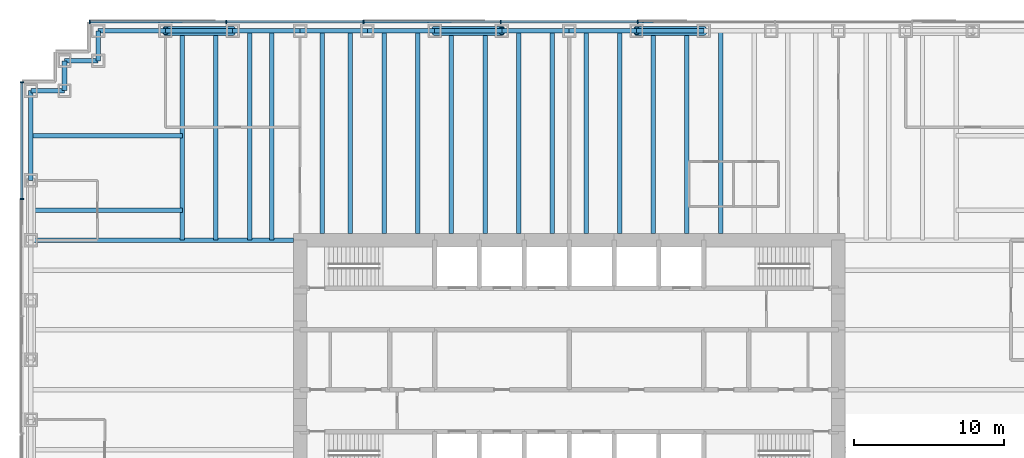
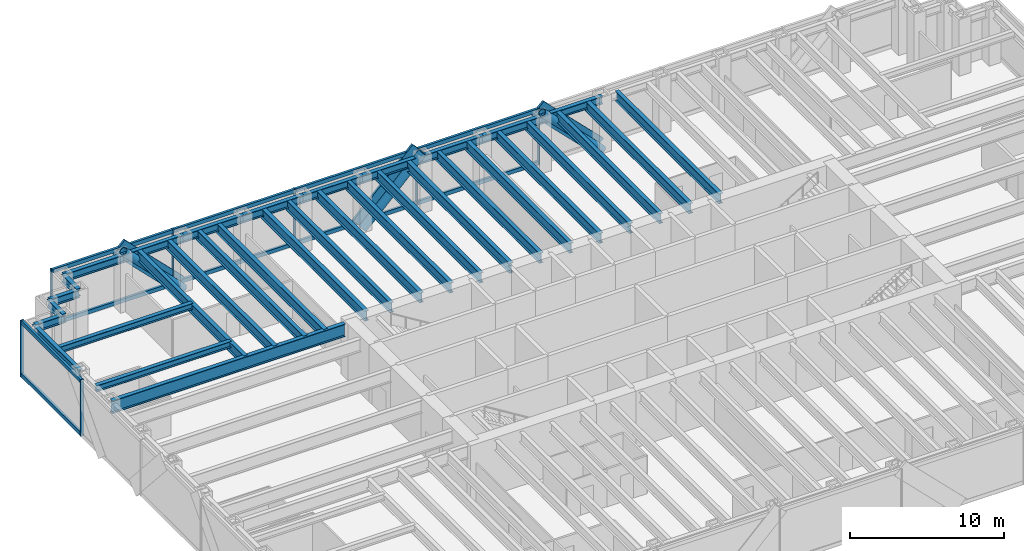
# One storey, part 5 of 13: 34 beams, 23 members, 2 elements without a shape of their own.
"""IFC4 building model written with IfcOpenShell, lengths in metres."""

from ifc_helpers import new_model, si_unit, direction, frame, origin, origin_2d, place, context, subcontext, project, spatial, rectangle, hollow_circle, i_section, extrude, material, material_profile, profile_set, type_object, element, aggregate, save


model = new_model("IFC4")

# Units and contexts
model_context = context("Model", 3, precision=1e-05, world=origin(), true_north=direction((0.0, 1.0)))
body_context = subcontext(model_context, "Body", "Model", "MODEL_VIEW")
ifc_project = project(units=[si_unit("LENGTHUNIT", "METRE"), si_unit("AREAUNIT", "SQUARE_METRE"), si_unit("VOLUMEUNIT", "CUBIC_METRE"), si_unit("PLANEANGLEUNIT", "RADIAN"), si_unit("MASSUNIT", "GRAM", prefix="KILO")], contexts=[model_context])

# Site, building, storey
site_placement = place(None, origin())
site = spatial("IfcSite", under=ifc_project, at=site_placement, CompositionType="ELEMENT")
building_placement = place(site_placement, origin())
building = spatial("IfcBuilding", under=site, at=building_placement, Name="Rheinbord Bourse Tower", CompositionType="ELEMENT")
storey_placement = place(building_placement, frame((0.0, 0.0, 54.5)))
storey = spatial("IfcBuildingStorey", under=building, at=storey_placement, Name="L11", CompositionType="ELEMENT", Elevation=54.5)

# Curtain wall, members
ifc_material_1 = material(Name="Dark glass and black aluminium", Category="aluminium")
curtain_wall_type = type_object("IfcCurtainWallType", Name="CW1 DARK GLASS CURTAIN WALL", PredefinedType="USERDEFINED", material=ifc_material_1)
curtain_wall_1_placement = place(storey_placement, origin())
curtain_wall_1 = element("IfcCurtainWall", 1, at=curtain_wall_1_placement, inside=storey, type_object=curtain_wall_type, Name="Curtain wall CW1 N L11", ObjectType="UNITISED CURTAIN WALL", PredefinedType="USERDEFINED")
ifc_material_2 = material(Name="Black anodised aluminium", Category="aluminium")
ifc_material_profile_1 = material_profile(ifc_material_2, rectangle(XDim=0.179931640625, YDim=1.2099609375, at=origin_2d()), Name="CW1 DIAGONAL MULLION 1210x180")
ifc_profile_set_1 = profile_set([ifc_material_profile_1], Name="Black anodised aluminium")
member_type_1 = type_object("IfcMemberType", Name="CW1 BLACK DIAGONAL MULLION", PredefinedType="USERDEFINED", material=ifc_profile_set_1)
member_1_placement = place(storey_placement, frame((13.5, 46.60009765625, 0.0), z_axis=(-0.707106781187, 0.0, 0.707106781187), x_axis=(0.0, -1.0, 0.0)))
member_1 = element("IfcMember", 2, at=member_1_placement, type_object=member_type_1, Name="CW1 diagonal mullion b", ObjectType="DIAGONAL MULLION", PredefinedType="USERDEFINED", context=body_context, shape_type="SweptSolid", body=[
    extrude(rectangle(XDim=0.179931640625, YDim=1.2099609375, at=origin_2d()), origin(), (0.0, 0.0, 1.0), 6.364013671875),
])
member_2_placement = place(storey_placement, frame((45.0, 46.60009765625, 0.0), z_axis=(-0.707106781187, 0.0, 0.707106781187), x_axis=(0.0, -1.0, 0.0)))
member_2 = element("IfcMember", 3, at=member_2_placement, type_object=member_type_1, Name="CW1 diagonal mullion c", ObjectType="DIAGONAL MULLION", PredefinedType="USERDEFINED", context=body_context, shape_type="SweptSolid", body=[
    extrude(rectangle(XDim=0.179931640625, YDim=1.2099609375, at=origin_2d()), origin(), (0.0, 0.0, 1.0), 6.364013671875),
])
member_3_placement = place(storey_placement, frame((27.0, 46.60009765625, 0.0), z_axis=(0.707106781187, 0.0, 0.707106781187), x_axis=(0.0, 1.0, 0.0)))
member_3 = element("IfcMember", 4, at=member_3_placement, type_object=member_type_1, Name="CW1 diagonal mullion d", ObjectType="DIAGONAL MULLION", PredefinedType="USERDEFINED", context=body_context, shape_type="SweptSolid", body=[
    extrude(rectangle(XDim=0.179931640625, YDim=1.2099609375, at=origin_2d()), origin(), (0.0, 0.0, 1.0), 6.364013671875),
])
ifc_material_3 = material(Name="Black anodised aluminium", Category="aluminium")
ifc_material_profile_2 = material_profile(ifc_material_3, rectangle(XDim=0.25, YDim=0.080078125, at=origin_2d()), Name="CW1 MULLION 80x250")
ifc_profile_set_2 = profile_set([ifc_material_profile_2], Name="Black anodised aluminium")
member_type_2 = type_object("IfcMemberType", Name="CW1 BLACK MULLION", PredefinedType="MULLION", material=ifc_profile_set_2)
member_4_placement = place(storey_placement, frame((40.585693359375, 46.60009765625, 0.0), z_axis=(0.0, 0.0, 1.0), x_axis=(0.0, -1.0, 0.0)))
member_4 = element("IfcMember", 5, at=member_4_placement, type_object=member_type_2, Name="CW1 mullion 4", PredefinedType="MULLION", context=body_context, shape_type="SweptSolid", body=[
    extrude(rectangle(XDim=0.25, YDim=0.080078125, at=origin_2d()), origin(), (0.0, 0.0, 1.0), 4.5),
])
member_5_placement = place(storey_placement, frame((31.414306640625, 46.60009765625, 0.0), z_axis=(0.0, 0.0, 1.0), x_axis=(0.0, -1.0, 0.0)))
member_5 = element("IfcMember", 6, at=member_5_placement, type_object=member_type_2, Name="CW1 mullion 5", PredefinedType="MULLION", context=body_context, shape_type="SweptSolid", body=[
    extrude(rectangle(XDim=0.25, YDim=0.080078125, at=origin_2d()), origin(), (0.0, 0.0, 1.0), 4.5),
])
member_6_placement = place(storey_placement, frame((22.242919921875, 46.60009765625, 0.0), z_axis=(0.0, 0.0, 1.0), x_axis=(0.0, -1.0, 0.0)))
member_6 = element("IfcMember", 7, at=member_6_placement, type_object=member_type_2, Name="CW1 mullion 6", PredefinedType="MULLION", context=body_context, shape_type="SweptSolid", body=[
    extrude(rectangle(XDim=0.25, YDim=0.080078125, at=origin_2d()), origin(), (0.0, 0.0, 1.0), 4.5),
])
member_7_placement = place(storey_placement, frame((13.071533203125, 46.60009765625, 0.0), z_axis=(0.0, 0.0, 1.0), x_axis=(0.0, -1.0, 0.0)))
member_7 = element("IfcMember", 8, at=member_7_placement, type_object=member_type_2, Name="CW1 mullion 7", PredefinedType="MULLION", context=body_context, shape_type="SweptSolid", body=[
    extrude(rectangle(XDim=0.25, YDim=0.080078125, at=origin_2d()), origin(), (0.0, 0.0, 1.0), 4.5),
])
member_8_placement = place(storey_placement, frame((3.93994140625, 46.60009765625, 0.0), z_axis=(0.0, 0.0, 1.0), x_axis=(0.0, -1.0, 0.0)))
member_8 = element("IfcMember", 9, at=member_8_placement, type_object=member_type_2, Name="CW1 mullion 8", PredefinedType="MULLION", context=body_context, shape_type="SweptSolid", body=[
    extrude(rectangle(XDim=0.25, YDim=0.080078125, at=origin_2d()), origin(), (0.0, 0.0, 1.0), 4.5),
])

curtain_wall_2_placement = place(storey_placement, origin())
curtain_wall_2 = element("IfcCurtainWall", 10, at=curtain_wall_2_placement, inside=storey, type_object=curtain_wall_type, Name="Curtain wall CW1 W L11", ObjectType="UNITISED CURTAIN WALL", PredefinedType="USERDEFINED")
member_9_placement = place(storey_placement, frame((-0.60009765625, 42.56005859375, 0.0), z_axis=(0.0, 0.0, 1.0), x_axis=(1.0, 0.0, 0.0)))
member_9 = element("IfcMember", 11, at=member_9_placement, type_object=member_type_2, Name="CW1 mullion 1", PredefinedType="MULLION", context=body_context, shape_type="SweptSolid", body=[
    extrude(rectangle(XDim=0.25, YDim=0.080078125, at=origin_2d()), origin(), (0.0, 0.0, 1.0), 4.5),
])
member_10_placement = place(storey_placement, frame((-0.60009765625, 34.760009765625, 0.0), z_axis=(0.0, 0.0, 1.0), x_axis=(1.0, 0.0, 0.0)))
member_10 = element("IfcMember", 12, at=member_10_placement, type_object=member_type_2, Name="CW1 mullion 2", PredefinedType="MULLION", context=body_context, shape_type="SweptSolid", body=[
    extrude(rectangle(XDim=0.25, YDim=0.080078125, at=origin_2d()), origin(), (0.0, 0.0, 1.0), 4.5),
])

# Member
ifc_material_4 = material(Name="Black anodised aluminium", Category="aluminium")
ifc_material_profile_3 = material_profile(ifc_material_4, rectangle(XDim=0.179931640625, YDim=0.300048828125, at=origin_2d()), Name="CW1 TRANSOM 300x180")
ifc_profile_set_3 = profile_set([ifc_material_profile_3], Name="Black anodised aluminium")
member_type_3 = type_object("IfcMemberType", Name="CW1 BLACK TRANSOM", PredefinedType="USERDEFINED", material=ifc_profile_set_3)
member_11_placement = place(storey_placement, frame((40.545654296875, 46.60009765625, 0.14990234375), z_axis=(-1.0, 0.0, 0.0), x_axis=(0.0, -1.0, 0.0)))
member_11 = element("IfcMember", 13, at=member_11_placement, type_object=member_type_3, Name="CW1 transom 4.1", ObjectType="TRANSOM", PredefinedType="USERDEFINED", context=body_context, shape_type="SweptSolid", body=[
    extrude(rectangle(XDim=0.179931640625, YDim=0.300048828125, at=origin_2d()), origin(), (0.0, 0.0, 1.0), 9.09130859375),
])

member_12_placement = place(storey_placement, frame((40.545654296875, 46.60009765625, 4.35009765625), z_axis=(-1.0, 0.0, 0.0), x_axis=(0.0, -1.0, 0.0)))
member_12 = element("IfcMember", 14, at=member_12_placement, type_object=member_type_3, Name="CW1 transom 4.2", ObjectType="TRANSOM", PredefinedType="USERDEFINED", context=body_context, shape_type="SweptSolid", body=[
    extrude(rectangle(XDim=0.179931640625, YDim=0.300048828125, at=origin_2d()), origin(), (0.0, 0.0, 1.0), 9.09130859375),
])

member_13_placement = place(storey_placement, frame((31.374267578125, 46.60009765625, 0.14990234375), z_axis=(-1.0, 0.0, 0.0), x_axis=(0.0, -1.0, 0.0)))
member_13 = element("IfcMember", 15, at=member_13_placement, type_object=member_type_3, Name="CW1 transom 5.1", ObjectType="TRANSOM", PredefinedType="USERDEFINED", context=body_context, shape_type="SweptSolid", body=[
    extrude(rectangle(XDim=0.179931640625, YDim=0.300048828125, at=origin_2d()), origin(), (0.0, 0.0, 1.0), 9.09130859375),
])

member_14_placement = place(storey_placement, frame((31.374267578125, 46.60009765625, 4.35009765625), z_axis=(-1.0, 0.0, 0.0), x_axis=(0.0, -1.0, 0.0)))
member_14 = element("IfcMember", 16, at=member_14_placement, type_object=member_type_3, Name="CW1 transom 5.2", ObjectType="TRANSOM", PredefinedType="USERDEFINED", context=body_context, shape_type="SweptSolid", body=[
    extrude(rectangle(XDim=0.179931640625, YDim=0.300048828125, at=origin_2d()), origin(), (0.0, 0.0, 1.0), 9.09130859375),
])

member_15_placement = place(storey_placement, frame((22.202880859375, 46.60009765625, 0.14990234375), z_axis=(-1.0, 0.0, 0.0), x_axis=(0.0, -1.0, 0.0)))
member_15 = element("IfcMember", 17, at=member_15_placement, type_object=member_type_3, Name="CW1 transom 6.1", ObjectType="TRANSOM", PredefinedType="USERDEFINED", context=body_context, shape_type="SweptSolid", body=[
    extrude(rectangle(XDim=0.179931640625, YDim=0.300048828125, at=origin_2d()), origin(), (0.0, 0.0, 1.0), 9.091552734375),
])

member_16_placement = place(storey_placement, frame((22.202880859375, 46.60009765625, 4.35009765625), z_axis=(-1.0, 0.0, 0.0), x_axis=(0.0, -1.0, 0.0)))
member_16 = element("IfcMember", 18, at=member_16_placement, type_object=member_type_3, Name="CW1 transom 6.2", ObjectType="TRANSOM", PredefinedType="USERDEFINED", context=body_context, shape_type="SweptSolid", body=[
    extrude(rectangle(XDim=0.179931640625, YDim=0.300048828125, at=origin_2d()), origin(), (0.0, 0.0, 1.0), 9.091552734375),
])

member_17_placement = place(storey_placement, frame((13.031494140625, 46.60009765625, 0.14990234375), z_axis=(-1.0, 0.0, 0.0), x_axis=(0.0, -1.0, 0.0)))
member_17 = element("IfcMember", 19, at=member_17_placement, type_object=member_type_3, Name="CW1 transom 7.1", ObjectType="TRANSOM", PredefinedType="USERDEFINED", context=body_context, shape_type="SweptSolid", body=[
    extrude(rectangle(XDim=0.179931640625, YDim=0.300048828125, at=origin_2d()), origin(), (0.0, 0.0, 1.0), 9.051513671875),
])

member_18_placement = place(storey_placement, frame((13.031494140625, 46.60009765625, 4.35009765625), z_axis=(-1.0, 0.0, 0.0), x_axis=(0.0, -1.0, 0.0)))
member_18 = element("IfcMember", 20, at=member_18_placement, type_object=member_type_3, Name="CW1 transom 7.2", ObjectType="TRANSOM", PredefinedType="USERDEFINED", context=body_context, shape_type="SweptSolid", body=[
    extrude(rectangle(XDim=0.179931640625, YDim=0.300048828125, at=origin_2d()), origin(), (0.0, 0.0, 1.0), 9.051513671875),
])

aggregate(curtain_wall_1, [member_4, member_5, member_6, member_7, member_8, member_11, member_12, member_13, member_14, member_15, member_16, member_17, member_18, member_1, member_2, member_3])

member_19_placement = place(storey_placement, frame((-0.60009765625, 42.52001953125, 0.14990234375), z_axis=(0.0, -1.0, 0.0), x_axis=(1.0, 0.0, 0.0)))
member_19 = element("IfcMember", 21, at=member_19_placement, type_object=member_type_3, Name="CW1 transom 1.1", ObjectType="TRANSOM", PredefinedType="USERDEFINED", context=body_context, shape_type="SweptSolid", body=[
    extrude(rectangle(XDim=0.179931640625, YDim=0.300048828125, at=origin_2d()), origin(), (0.0, 0.0, 1.0), 7.719970703125),
])

member_20_placement = place(storey_placement, frame((-0.60009765625, 42.52001953125, 4.35009765625), z_axis=(0.0, -1.0, 0.0), x_axis=(1.0, 0.0, 0.0)))
member_20 = element("IfcMember", 22, at=member_20_placement, type_object=member_type_3, Name="CW1 transom 1.2", ObjectType="TRANSOM", PredefinedType="USERDEFINED", context=body_context, shape_type="SweptSolid", body=[
    extrude(rectangle(XDim=0.179931640625, YDim=0.300048828125, at=origin_2d()), origin(), (0.0, 0.0, 1.0), 7.719970703125),
])

aggregate(curtain_wall_2, [member_9, member_10, member_19, member_20])

# Beams
ifc_material_5 = material(Name="Steel S460", Category="steel")
ifc_material_profile_4 = material_profile(ifc_material_5, i_section(OverallWidth=0.300048828125, OverallDepth=0.800048828125, WebThickness=0.017578125, FlangeThickness=0.032958984375, at=origin_2d()), Name="HEB 800")
ifc_profile_set_4 = profile_set([ifc_material_profile_4], Name="Steel S460")
beam_type_1 = type_object("IfcBeamType", Name="FLOOR BEAM HEB 800", PredefinedType="BEAM", material=ifc_profile_set_4)
for number, where, z_axis, x_axis, name in (
    (23, (10.125, 46.0, 3.919921875), (0.0, -1.0, 0.0), (1.0, 0.0, 0.0), "Floor beam N-9a L12"),
    (24, (12.375, 46.0, 3.919921875), (0.0, -1.0, 0.0), (1.0, 0.0, 0.0), "Floor beam N-9b L12"),
    (25, (14.625, 46.0, 3.919921875), (0.0, -1.0, 0.0), (1.0, 0.0, 0.0), "Floor beam N-13.5a L12"),
    (26, (16.125, 46.0, 3.919921875), (0.0, -1.0, 0.0), (1.0, 0.0, 0.0), "Floor beam N-13.5b L12"),
):
    element("IfcBeam", number, at=place(storey_placement, frame(where, z_axis=z_axis, x_axis=x_axis)), inside=storey, type_object=beam_type_1, Name=name, PredefinedType="BEAM", context=body_context, shape_type="SweptSolid", body=[
        extrude(i_section(OverallWidth=0.300048828125, OverallDepth=0.800048828125, WebThickness=0.017578125, FlangeThickness=0.032958984375, at=origin_2d()), origin(), (0.0, 0.0, 1.0), 14.0),
    ])
for number, where, z_axis, x_axis, name in (
    (27, (19.5, 46.0, 3.919921875), (0.0, -1.0, 0.0), (1.0, 0.0, 0.0), "Floor beam N-18a L12"),
    (28, (21.375, 46.0, 3.919921875), (0.0, -1.0, 0.0), (1.0, 0.0, 0.0), "Floor beam N-18b L12"),
    (29, (23.625, 46.0, 3.919921875), (0.0, -1.0, 0.0), (1.0, 0.0, 0.0), "Floor beam N-22.5a L12"),
    (30, (25.875, 46.0, 3.919921875), (0.0, -1.0, 0.0), (1.0, 0.0, 0.0), "Floor beam N-22.5b L12"),
    (31, (28.125, 46.0, 3.919921875), (0.0, -1.0, 0.0), (1.0, 0.0, 0.0), "Floor beam N-27a L12"),
    (32, (30.375, 46.0, 3.919921875), (0.0, -1.0, 0.0), (1.0, 0.0, 0.0), "Floor beam N-27b L12"),
    (33, (32.625, 46.0, 3.919921875), (0.0, -1.0, 0.0), (1.0, 0.0, 0.0), "Floor beam N-31.5a L12"),
    (34, (34.875, 46.0, 3.919921875), (0.0, -1.0, 0.0), (1.0, 0.0, 0.0), "Floor beam N-31.5b L12"),
    (35, (37.125, 46.0, 3.919921875), (0.0, -1.0, 0.0), (1.0, 0.0, 0.0), "Floor beam N-36a L12"),
    (36, (39.375, 46.0, 3.919921875), (0.0, -1.0, 0.0), (1.0, 0.0, 0.0), "Floor beam N-36b L12"),
    (37, (41.625, 46.0, 3.919921875), (0.0, -1.0, 0.0), (1.0, 0.0, 0.0), "Floor beam N-40.5a L12"),
    (38, (43.875, 46.0, 3.919921875), (0.0, -1.0, 0.0), (1.0, 0.0, 0.0), "Floor beam N-40.5b L12"),
    (39, (46.125, 46.0, 3.919921875), (0.0, -1.0, 0.0), (1.0, 0.0, 0.0), "Floor beam N-45a L12"),
):
    element("IfcBeam", number, at=place(storey_placement, frame(where, z_axis=z_axis, x_axis=x_axis)), inside=storey, type_object=beam_type_1, Name=name, PredefinedType="BEAM", context=body_context, shape_type="SweptSolid", body=[
        extrude(i_section(OverallWidth=0.300048828125, OverallDepth=0.800048828125, WebThickness=0.017578125, FlangeThickness=0.032958984375, at=origin_2d()), origin(), (0.0, 0.0, 1.0), 13.550048828125),
    ])
ifc_material_6 = material(Name="Steel S460", Category="steel")
ifc_material_profile_5 = material_profile(ifc_material_6, i_section(OverallWidth=0.302001953125, OverallDepth=1.008056640625, WebThickness=0.02099609375, FlangeThickness=0.0400390625, at=origin_2d()), Name="HEM 1000")
ifc_profile_set_5 = profile_set([ifc_material_profile_5], Name="Steel S460")
beam_type_2 = type_object("IfcBeamType", Name="GIRDER HEM 1000", PredefinedType="BEAM", material=ifc_profile_set_5)
beam_1_placement = place(storey_placement, frame((0.0, 32.0, 3.81591796875), z_axis=(1.0, 0.0, 0.0), x_axis=(0.0, 1.0, 0.0)))
element("IfcBeam", 40, at=beam_1_placement, inside=storey, type_object=beam_type_2, Name="Girder west 32 L12", PredefinedType="BEAM", context=body_context, shape_type="SweptSolid", body=[
    extrude(i_section(OverallWidth=0.302001953125, OverallDepth=1.008056640625, WebThickness=0.02099609375, FlangeThickness=0.0400390625, at=origin_2d()), origin(), (0.0, 0.0, 1.0), 17.550048828125),
])

# Members
ifc_material_7 = material(Name="Steel S460", Category="steel")
ifc_material_profile_6 = material_profile(ifc_material_7, hollow_circle(Radius=0.304931640625, WallThickness=0.050048828125, at=origin_2d()), Name="CHS 610x50")
ifc_profile_set_6 = profile_set([ifc_material_profile_6], Name="Steel S460")
member_type_4 = type_object("IfcMemberType", Name="MEGABRACE CHS 610x50", PredefinedType="BRACE", material=ifc_profile_set_6)
for number, where, z_axis, x_axis, name in (
    (41, (13.5, 46.0, 0.0), (-0.707106781187, 0.0, 0.707106781187), (0.0, -1.0, 0.0), "Megabrace N face line b L11"),
    (42, (45.0, 46.0, 0.0), (-0.707106781187, 0.0, 0.707106781187), (0.0, -1.0, 0.0), "Megabrace N face line c L11"),
    (43, (27.0, 46.0, 0.0), (0.707106781187, 0.0, 0.707106781187), (0.0, 1.0, 0.0), "Megabrace N face line d L11"),
):
    element("IfcMember", number, at=place(storey_placement, frame(where, z_axis=z_axis, x_axis=x_axis)), inside=storey, type_object=member_type_4, Name=name, PredefinedType="BRACE", context=body_context, shape_type="SweptSolid", body=[
        extrude(hollow_circle(Radius=0.304931640625, WallThickness=0.050048828125, at=origin_2d()), origin(), (0.0, 0.0, 1.0), 6.364013671875),
    ])

# Beams
ifc_material_8 = material(Name="Steel S460", Category="steel")
ifc_material_profile_7 = material_profile(ifc_material_8, i_section(OverallWidth=0.304931640625, OverallDepth=0.6201171875, WebThickness=0.02099609375, FlangeThickness=0.0400390625, at=origin_2d()), Name="HEM 600")
ifc_profile_set_7 = profile_set([ifc_material_profile_7], Name="Steel S460")
beam_type_3 = type_object("IfcBeamType", Name="SPANDREL HEM 600", PredefinedType="SPANDREL", material=ifc_profile_set_7)
for number, where, z_axis, x_axis, name in (
    (44, (45.0, 46.0, 4.010009765625), (-1.0, 0.0, 0.0), (0.0, -1.0, 0.0), "Spandrel N-45-N-40.5 under L12"),
    (45, (40.5, 46.0, 4.010009765625), (-1.0, 0.0, 0.0), (0.0, -1.0, 0.0), "Spandrel N-40.5-N-36 under L12"),
    (46, (36.0, 46.0, 4.010009765625), (-1.0, 0.0, 0.0), (0.0, -1.0, 0.0), "Spandrel N-36-N-31.5 under L12"),
    (47, (31.5, 46.0, 4.010009765625), (-1.0, 0.0, 0.0), (0.0, -1.0, 0.0), "Spandrel N-31.5-N-27 under L12"),
    (48, (27.0, 46.0, 4.010009765625), (-1.0, 0.0, 0.0), (0.0, -1.0, 0.0), "Spandrel N-27-N-22.5 under L12"),
    (49, (22.5, 46.0, 4.010009765625), (-1.0, 0.0, 0.0), (0.0, -1.0, 0.0), "Spandrel N-22.5-N-18 under L12"),
    (50, (18.0, 46.0, 4.010009765625), (-1.0, 0.0, 0.0), (0.0, -1.0, 0.0), "Spandrel N-18-N-13.5 under L12"),
    (51, (13.5, 46.0, 4.010009765625), (-1.0, 0.0, 0.0), (0.0, -1.0, 0.0), "Spandrel N-13.5-N-9 under L12"),
    (52, (9.0, 46.0, 4.010009765625), (-1.0, 0.0, 0.0), (0.0, -1.0, 0.0), "Spandrel N-9-NW-E under L12"),
):
    element("IfcBeam", number, at=place(storey_placement, frame(where, z_axis=z_axis, x_axis=x_axis)), inside=storey, type_object=beam_type_3, Name=name, PredefinedType="SPANDREL", context=body_context, shape_type="SweptSolid", body=[
        extrude(i_section(OverallWidth=0.304931640625, OverallDepth=0.6201171875, WebThickness=0.02099609375, FlangeThickness=0.0400390625, at=origin_2d()), origin(), (0.0, 0.0, 1.0), 4.5),
    ])
beam_2_placement = place(storey_placement, frame((4.5, 46.0, 4.010009765625), z_axis=(0.0, -1.0, 0.0), x_axis=(1.0, 0.0, 0.0)))
element("IfcBeam", 53, at=beam_2_placement, inside=storey, type_object=beam_type_3, Name="Spandrel NW-E-NW-D under L12", PredefinedType="SPANDREL", context=body_context, shape_type="SweptSolid", body=[
    extrude(i_section(OverallWidth=0.304931640625, OverallDepth=0.6201171875, WebThickness=0.02099609375, FlangeThickness=0.0400390625, at=origin_2d()), origin(), (0.0, 0.0, 1.0), 2.0),
])
beam_3_placement = place(storey_placement, frame((4.5, 44.0, 4.010009765625), z_axis=(-1.0, 0.0, 0.0), x_axis=(0.0, -1.0, 0.0)))
element("IfcBeam", 54, at=beam_3_placement, inside=storey, type_object=beam_type_3, Name="Spandrel NW-D-NW-C under L12", PredefinedType="SPANDREL", context=body_context, shape_type="SweptSolid", body=[
    extrude(i_section(OverallWidth=0.304931640625, OverallDepth=0.6201171875, WebThickness=0.02099609375, FlangeThickness=0.0400390625, at=origin_2d()), origin(), (0.0, 0.0, 1.0), 2.25),
])
beam_4_placement = place(storey_placement, frame((2.25, 44.0, 4.010009765625), z_axis=(0.0, -1.0, 0.0), x_axis=(1.0, 0.0, 0.0)))
element("IfcBeam", 55, at=beam_4_placement, inside=storey, type_object=beam_type_3, Name="Spandrel NW-C-NW-B under L12", PredefinedType="SPANDREL", context=body_context, shape_type="SweptSolid", body=[
    extrude(i_section(OverallWidth=0.304931640625, OverallDepth=0.6201171875, WebThickness=0.02099609375, FlangeThickness=0.0400390625, at=origin_2d()), origin(), (0.0, 0.0, 1.0), 2.0),
])
beam_5_placement = place(storey_placement, frame((2.25, 42.0, 4.010009765625), z_axis=(-1.0, 0.0, 0.0), x_axis=(0.0, -1.0, 0.0)))
element("IfcBeam", 56, at=beam_5_placement, inside=storey, type_object=beam_type_3, Name="Spandrel NW-B-NW-A under L12", PredefinedType="SPANDREL", context=body_context, shape_type="SweptSolid", body=[
    extrude(i_section(OverallWidth=0.304931640625, OverallDepth=0.6201171875, WebThickness=0.02099609375, FlangeThickness=0.0400390625, at=origin_2d()), origin(), (0.0, 0.0, 1.0), 2.25),
])
beam_6_placement = place(storey_placement, frame((0.0, 42.0, 4.010009765625), z_axis=(0.0, -1.0, 0.0), x_axis=(1.0, 0.0, 0.0)))
element("IfcBeam", 57, at=beam_6_placement, inside=storey, type_object=beam_type_3, Name="Spandrel NW-A-W-36 under L12", PredefinedType="SPANDREL", context=body_context, shape_type="SweptSolid", body=[
    extrude(i_section(OverallWidth=0.304931640625, OverallDepth=0.6201171875, WebThickness=0.02099609375, FlangeThickness=0.0400390625, at=origin_2d()), origin(), (0.0, 0.0, 1.0), 6.0),
])
ifc_material_9 = material(Name="Steel S460", Category="steel")
ifc_material_profile_8 = material_profile(ifc_material_9, i_section(OverallWidth=0.300048828125, OverallDepth=0.5, WebThickness=0.014404296875, FlangeThickness=0.028076171875, at=origin_2d()), Name="HEB 500")
ifc_profile_set_8 = profile_set([ifc_material_profile_8], Name="Steel S460")
beam_type_4 = type_object("IfcBeamType", Name="TIE BEAM HEB 500", PredefinedType="JOIST", material=ifc_profile_set_8)
for number, where, z_axis, x_axis, name in (
    (58, (0.0, 34.0, 4.070068359375), (1.0, 0.0, 0.0), (0.0, 1.0, 0.0), "Tie west 34 L12"),
    (59, (0.0, 39.0, 4.070068359375), (1.0, 0.0, 0.0), (0.0, 1.0, 0.0), "Tie west 39 L12"),
):
    element("IfcBeam", number, at=place(storey_placement, frame(where, z_axis=z_axis, x_axis=x_axis)), inside=storey, type_object=beam_type_4, Name=name, PredefinedType="JOIST", context=body_context, shape_type="SweptSolid", body=[
        extrude(i_section(OverallWidth=0.300048828125, OverallDepth=0.5, WebThickness=0.014404296875, FlangeThickness=0.028076171875, at=origin_2d()), origin(), (0.0, 0.0, 1.0), 10.125),
    ])

save(model, "model.ifc")
